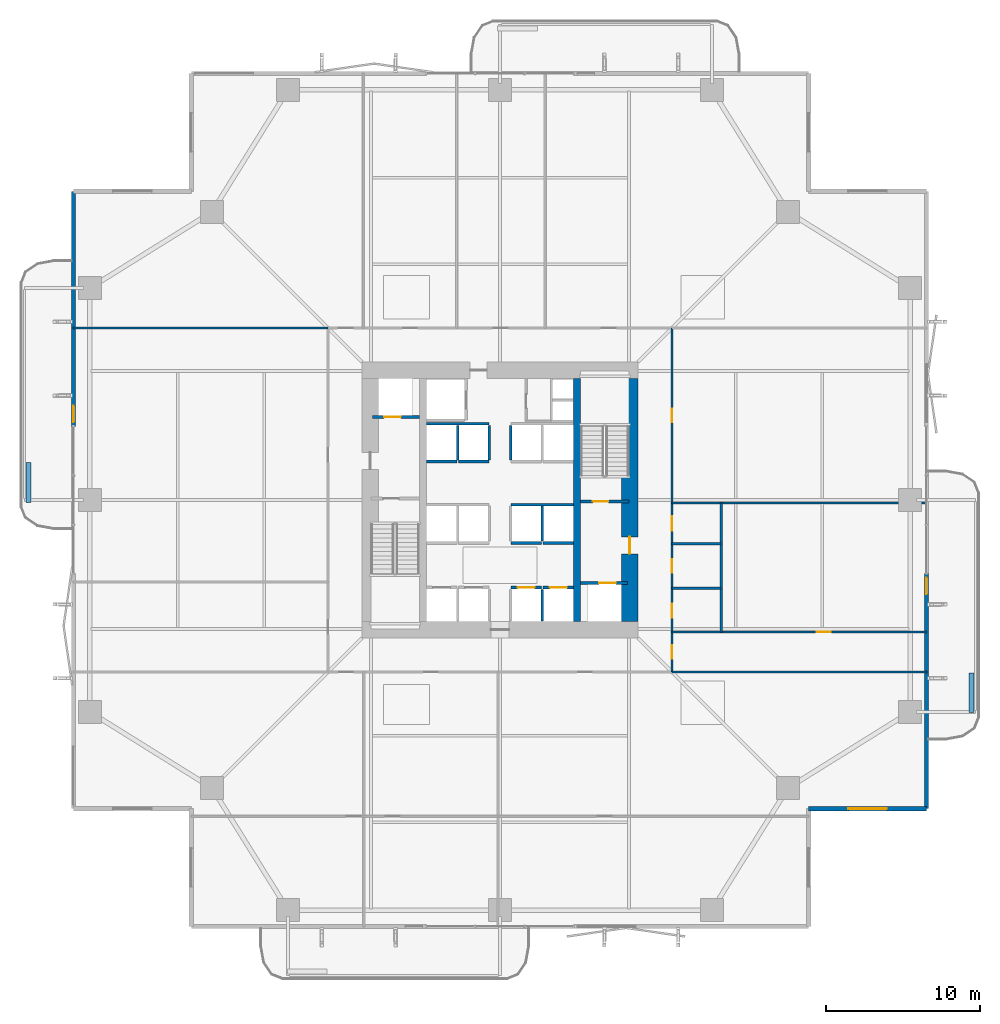
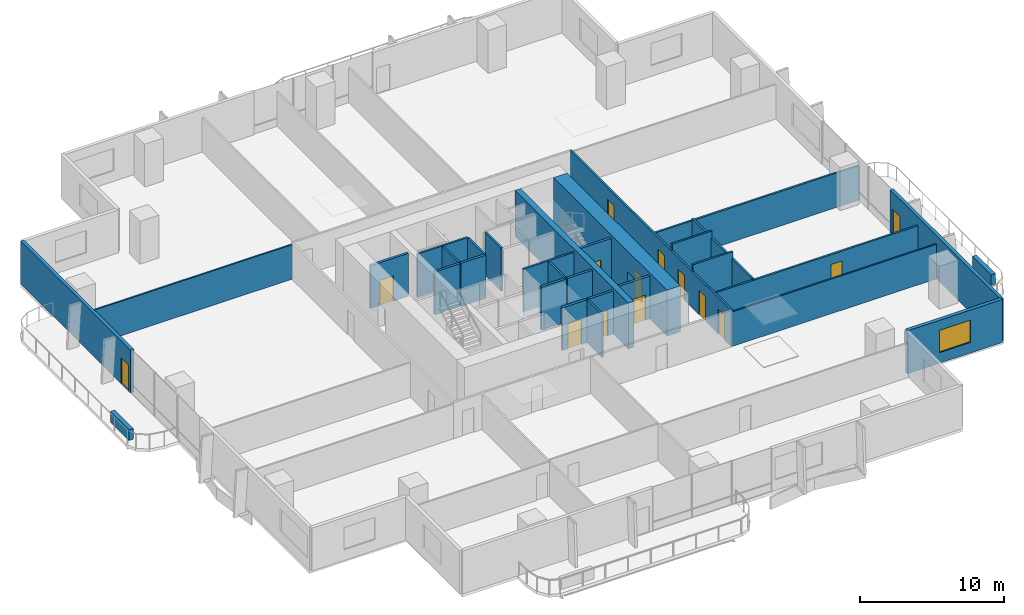
# One storey, part 18 of 23: 31 walls, 14 doors, 1 window, 15 openings.
"""IFC4 building model written with IfcOpenShell, lengths in metres."""

import ifcopenshell
import ifcopenshell.guid

model = None  # the IFC model being written
_history = None  # IfcOwnerHistory: only IFC2X3 demands one
_inside = {}  # id of a spatial element -> (the spatial element, [elements in it])
_under = {}  # id of a project, library or spatial element -> (it, [spatial elements below it])
_declared = {}  # id of a project -> (the project, [libraries it declares])
_typed = {}  # id of a type object -> (the type object, [elements of that type])
_made_of = {}  # id of a material, layer set ... -> (it, [elements and type objects made of it])


def new_model(schema):
    """Start an empty IFC model of exactly this schema.

    Asked for "IFC4X3", IfcOpenShell would pick the latest addendum, in which some entities
    have other attributes; the version numbers below select the first issue.
    IFC2X3 requires an IfcOwnerHistory on every rooted entity: one is made here for all.
    """
    global model, _history
    if schema == "IFC4X3":
        model = ifcopenshell.file(schema_version=(4, 3, 0, 0))
    else:
        model = ifcopenshell.file(schema=schema)
    _inside.clear()
    _under.clear()
    _declared.clear()
    _typed.clear()
    _made_of.clear()
    _history = None
    if model.schema == "IFC2X3":
        org = make("IfcOrganization", Name="unknown")
        user = make(
            "IfcPersonAndOrganization",
            ThePerson=make("IfcPerson", FamilyName="unknown"),
            TheOrganization=org,
        )
        app = make(
            "IfcApplication",
            ApplicationDeveloper=org,
            Version="unknown",
            ApplicationFullName="unknown",
            ApplicationIdentifier="unknown",
        )
        _history = make(
            "IfcOwnerHistory",
            OwningUser=user,
            OwningApplication=app,
            ChangeAction="ADDED",
            CreationDate=0,
        )
    return model


def make(cls, **values):
    """One entity of the class cls with the attributes given. An attribute that is None is left unset."""
    return model.create_entity(
        cls, **{name: value for name, value in values.items() if value is not None}
    )


def rooted(cls, **values):
    """An entity with a GlobalId (a new one), such as an element, a storey or a relation."""
    return make(cls, GlobalId=ifcopenshell.guid.new(), OwnerHistory=_history, **values)


def si_unit(unit_type, name, prefix=None):
    """IfcSIUnit, for example si_unit("LENGTHUNIT", "METRE", prefix="MILLI")."""
    return make("IfcSIUnit", UnitType=unit_type, Prefix=prefix, Name=name)


def assignment(units):
    """IfcUnitAssignment: the units of a project."""
    return None if units is None else make("IfcUnitAssignment", Units=units)


def point(xyz):
    """IfcCartesianPoint."""
    return None if xyz is None else make("IfcCartesianPoint", Coordinates=xyz)


def direction(xyz):
    """IfcDirection."""
    return None if xyz is None else make("IfcDirection", DirectionRatios=xyz)


def frame(location, z_axis=None, x_axis=None):
    """IfcAxis2Placement3D, a coordinate frame: its origin and axes. An axis left out is left unset."""
    return make(
        "IfcAxis2Placement3D",
        Location=point(location),
        Axis=direction(z_axis),
        RefDirection=direction(x_axis),
    )


def frame_2d(location, x_axis=None):
    """IfcAxis2Placement2D, a coordinate frame in the plane: its origin and x axis."""
    return make(
        "IfcAxis2Placement2D", Location=point(location), RefDirection=direction(x_axis)
    )


def origin():
    """The frame at (0, 0, 0) with its axes left unset."""
    return frame((0.0, 0.0, 0.0))


def place(relative_to, where):
    """IfcLocalPlacement: puts the frame where relative to a parent placement (None: the world)."""
    return make(
        "IfcLocalPlacement", PlacementRelTo=relative_to, RelativePlacement=where
    )


def context(
    kind, dimensions, precision=None, world=None, true_north=None, identifier=None
):
    """IfcGeometricRepresentationContext, for example the 3D "Model" context."""
    return make(
        "IfcGeometricRepresentationContext",
        ContextIdentifier=identifier,
        ContextType=kind,
        CoordinateSpaceDimension=dimensions,
        Precision=precision,
        WorldCoordinateSystem=world,
        TrueNorth=true_north,
    )


def subcontext(parent, identifier, kind, view, scale=None):
    """IfcGeometricRepresentationSubContext, for example "Body" below "Model"."""
    return make(
        "IfcGeometricRepresentationSubContext",
        ContextIdentifier=identifier,
        ContextType=kind,
        ParentContext=parent,
        TargetScale=scale,
        TargetView=view,
    )


def project(units=None, contexts=None):
    """IfcProject with its units and contexts."""
    return rooted(
        "IfcProject",
        Name="project",
        RepresentationContexts=contexts,
        UnitsInContext=assignment(units),
    )


def spatial(cls, under=None, at=None, **own):
    """A site, building, storey or space (cls), placed at a placement, below another one or the project."""
    s = rooted(cls, ObjectPlacement=at, **own)
    if under is not None:
        _under.setdefault(under.id(), (under, []))[1].append(s)
    return s


def profile(cls, at=None, kind="AREA", **sizes):
    """A parametric profile (cls). Its sizes go by their IFC names, for example OverallWidth=200.0."""
    return make(cls, ProfileType=kind, Position=at, **sizes)


def rectangle(**sizes):
    """IfcRectangleProfileDef."""
    return profile("IfcRectangleProfileDef", **sizes)


def extrude(swept, where, along, depth):
    """IfcExtrudedAreaSolid: the profile swept, set in the frame where, extruded along a direction by depth."""
    return make(
        "IfcExtrudedAreaSolid",
        SweptArea=swept,
        Position=where,
        ExtrudedDirection=direction(along),
        Depth=depth,
    )


def shape(context_of_items, identifier, shape_type, items):
    """IfcShapeRepresentation: the items that make up one representation, for example the "Body"."""
    return make(
        "IfcShapeRepresentation",
        ContextOfItems=context_of_items,
        RepresentationIdentifier=identifier,
        RepresentationType=shape_type,
        Items=items,
    )


def material(Name=None, Category=None):
    """IfcMaterial."""
    return make("IfcMaterial", Name=Name, Category=Category)


def layer(
    of_material, thickness, ventilated=None, Name=None, Category=None, Priority=None
):
    """IfcMaterialLayer: one layer of a wall or slab, of a material (None: an air gap)."""
    return make(
        "IfcMaterialLayer",
        Material=of_material,
        LayerThickness=thickness,
        IsVentilated=ventilated,
        Name=Name,
        Category=Category,
        Priority=Priority,
    )


def layer_set(layers, Name=None):
    """IfcMaterialLayerSet."""
    return make("IfcMaterialLayerSet", MaterialLayers=layers, LayerSetName=Name)


def made_of(thing, what):
    """Note that an element or type object is made of a material, layer set ...; save() writes the relation."""
    if what is not None:
        _made_of.setdefault(what.id(), (what, []))[1].append(thing)
    return thing


def type_object(cls, material=None, **own):
    """A type object (cls), such as IfcWallType, which elements share."""
    return made_of(rooted(cls, **own), material)


def element(
    cls,
    number,
    at=None,
    inside=None,
    cuts=None,
    type_object=None,
    material=None,
    context=None,
    identifier="Body",
    shape_type=None,
    held_by="IfcProductDefinitionShape",
    body=None,
    shapes=None,
    **own,
):
    """One element of the class cls, such as IfcWall. Its Tag is "e" and its number.

    at: its placement. inside: the storey or other place that contains it. cuts: it is an
    opening in that element (IfcRelVoidsElement). A single representation is given by context,
    identifier, shape_type and body (its items); several are given by shapes. held_by: the class
    of the entity that holds the representations. save() writes the other relations.
    """
    e = rooted(cls, Tag="e%d" % number, ObjectPlacement=at, **own)
    if body is not None:
        shapes = [shape(context, identifier, shape_type, body)]
    if shapes is not None:
        e.Representation = make(held_by, Representations=shapes)
    if inside is not None:
        _inside.setdefault(inside.id(), (inside, []))[1].append(e)
    if cuts is not None:
        rooted(
            "IfcRelVoidsElement", RelatingBuildingElement=cuts, RelatedOpeningElement=e
        )
    if type_object is not None:
        _typed.setdefault(type_object.id(), (type_object, []))[1].append(e)
    return made_of(e, material)


def fill(opening, filler):
    """IfcRelFillsElement: the door or window that sits in an opening."""
    return rooted(
        "IfcRelFillsElement",
        RelatingOpeningElement=opening,
        RelatedBuildingElement=filler,
    )


def aggregate(whole, parts):
    """IfcRelAggregates: a whole, such as a stair, and the parts it consists of."""
    return rooted("IfcRelAggregates", RelatingObject=whole, RelatedObjects=parts)


def save(model, path):
    """Write the relations noted so far, then the file.

    IfcRelAggregates (storeys below a building ...), IfcRelContainedInSpatialStructure (elements
    in a storey), IfcRelDefinesByType, IfcRelAssociatesMaterial and IfcRelDeclares: one each for
    every whole, place, type object, material and project.
    """
    for whole, parts in _under.values():
        aggregate(whole, parts)
    for where, things in _inside.values():
        rooted(
            "IfcRelContainedInSpatialStructure",
            RelatedElements=things,
            RelatingStructure=where,
        )
    for kind, things in _typed.values():
        rooted("IfcRelDefinesByType", RelatedObjects=things, RelatingType=kind)
    for what, things in _made_of.values():
        rooted("IfcRelAssociatesMaterial", RelatedObjects=things, RelatingMaterial=what)
    for by, libraries in _declared.values():
        rooted("IfcRelDeclares", RelatingContext=by, RelatedDefinitions=libraries)
    model.write(path)


model = new_model("IFC4")

# Units and contexts
model_context = context("Model", 3, precision=1e-05, world=origin(), true_north=direction((0.0, 1.0)))
body_context = subcontext(model_context, "Body", "Model", "MODEL_VIEW")
ifc_project = project(units=[si_unit("LENGTHUNIT", "METRE"), si_unit("AREAUNIT", "SQUARE_METRE"), si_unit("VOLUMEUNIT", "CUBIC_METRE"), si_unit("PLANEANGLEUNIT", "RADIAN"), si_unit("MASSUNIT", "GRAM", prefix="KILO")], contexts=[model_context])

# Site, building, storey
site_placement = place(None, origin())
site = spatial("IfcSite", under=ifc_project, at=site_placement, CompositionType="ELEMENT")
building_placement = place(site_placement, origin())
building = spatial("IfcBuilding", under=site, at=building_placement, Name="Belovzor Exchange Tower", CompositionType="ELEMENT")
storey_placement = place(building_placement, frame((0.0, 0.0, 88.5)))
storey = spatial("IfcBuildingStorey", under=building, at=storey_placement, Name="L21", CompositionType="ELEMENT", Elevation=88.5)

# Walls
ifc_material_1 = material(Name="Acoustic Plasterboard on Galvanised Studs", Category="gypsum")
ifc_layer_1 = layer(ifc_material_1, 0.1201171875)
ifc_layer_set_1 = layer_set([ifc_layer_1], Name="Acoustic Plasterboard on Galvanised Studs")
wall_type_1 = type_object("IfcWallType", Name="Acoustic Double-Stud Partition Wall 120", PredefinedType="PARTITIONING", material=ifc_layer_set_1)
for number, where, z_axis, x_axis, name in (
    (1, (40.0, 17.60009765625, 0.0), (0.0, 0.0, 1.0), (1.0, 0.0, 0.0), "W-P120 Partition Wall W-L21-END-SE"),
    (2, (1.030029296875, 40.0, 0.0), (0.0, 0.0, 1.0), (1.0, 0.0, 0.0), "W-P120 Partition Wall W-L21-END-NW"),
):
    element("IfcWall", number, at=place(storey_placement, frame(where, z_axis=z_axis, x_axis=x_axis)), inside=storey, type_object=wall_type_1, Name=name, PredefinedType="PARTITIONING", context=body_context, shape_type="SweptSolid", body=[
        extrude(rectangle(XDim=16.570068359375, YDim=0.1201171875, at=frame_2d((8.28515625, 0.0))), origin(), (0.0, 0.0, 1.0), 2.93505859375),
    ])
ifc_material_2 = material(Name="Fire-Rated Gypsum Block and Mineral Wool", Category="gypsum")
ifc_layer_2 = layer(ifc_material_2, 0.14990234375)
ifc_layer_set_2 = layer_set([ifc_layer_2], Name="Fire-Rated Gypsum Block and Mineral Wool")
wall_type_2 = type_object("IfcWallType", Name="Fire-Rated Gypsum Block Corridor Wall 150", PredefinedType="PARTITIONING", material=ifc_layer_set_2)
wall_1_placement = place(storey_placement, frame((43.199951171875, 20.199951171875, 0.0), z_axis=(0.0, 0.0, 1.0), x_axis=(0.0, 1.0, 0.0)))
element("IfcWall", 3, at=wall_1_placement, inside=storey, type_object=wall_type_2, Name="W-P150 Partition Wall W-L21-WCE", PredefinedType="PARTITIONING", context=body_context, shape_type="SweptSolid", body=[
    extrude(rectangle(XDim=8.400146484375, YDim=0.14990234375, at=frame_2d((4.2001953125, 0.0))), origin(), (0.0, 0.0, 1.0), 3.0849609375),
])

# Wall, opening, door
wall_2_placement = place(storey_placement, frame((40.0, 20.199951171875, 0.0), z_axis=(0.0, 0.0, 1.0), x_axis=(1.0, 0.0, 0.0)))
wall_2 = element("IfcWall", 4, at=wall_2_placement, inside=storey, type_object=wall_type_2, Name="W-P150 Partition Wall W-L21-WCS", PredefinedType="PARTITIONING", context=body_context, shape_type="SweptSolid", body=[
    extrude(rectangle(XDim=16.570068359375, YDim=0.14990234375, at=frame_2d((8.28515625, 0.0))), origin(), (0.0, 0.0, 1.0), 2.93505859375),
])
opening_1_placement = place(wall_2_placement, frame((9.43505859375, 0.0, 0.0)))
opening_1 = element("IfcOpeningElement", 5, at=opening_1_placement, cuts=wall_2, Name="Opening D-INT-090", PredefinedType="OPENING", context=body_context, shape_type="SweptSolid", body=[
    extrude(rectangle(XDim=0.89990234375, YDim=2.10009765625, at=frame_2d((0.449951171875, 1.050048828125))), frame((0.0, 0.0849609375, 0.0), z_axis=(0.0, -1.0, 0.0), x_axis=(1.0, 0.0, 0.0)), (0.0, 0.0, 1.0), 0.169921875),
])
ifc_material_3 = material(Name="Veneered Hardwood Acoustic Leaf", Category="wood")
door_type_1 = type_object("IfcDoorType", Name="Trading Suite Acoustic Single Door 900x2100", OperationType="NOTDEFINED", PredefinedType="DOOR", material=ifc_material_3)
door_1_placement = place(opening_1_placement, origin())
door_1 = element("IfcDoor", 6, at=door_1_placement, inside=storey, type_object=door_type_1, Name="D-INT-090 Trading Suite Acoustic Single Door 900x2100", OperationType="SINGLE_SWING_LEFT", OverallHeight=2.10009765625, OverallWidth=0.89990234375, PredefinedType="DOOR", context=body_context, shape_type="SweptSolid", body=[
    extrude(rectangle(XDim=0.89990234375, YDim=2.10009765625, at=frame_2d((0.449951171875, 1.050048828125))), frame((0.0, 0.02490234375, 0.0), z_axis=(0.0, -1.0, 0.0), x_axis=(1.0, 0.0, 0.0)), (0.0, 0.0, 1.0), 0.050048828125),
])
fill(opening_1, door_1)

# Walls
wall_3_placement = place(storey_placement, frame((40.0, 28.60009765625, 0.0), z_axis=(0.0, 0.0, 1.0), x_axis=(1.0, 0.0, 0.0)))
element("IfcWall", 7, at=wall_3_placement, inside=storey, type_object=wall_type_2, Name="W-P150 Partition Wall W-L21-WCN", PredefinedType="PARTITIONING", context=body_context, shape_type="SweptSolid", body=[
    extrude(rectangle(XDim=16.570068359375, YDim=0.14990234375, at=frame_2d((8.28515625, 0.0))), origin(), (0.0, 0.0, 1.0), 2.93505859375),
])
for number, where, z_axis, x_axis, name in (
    (8, (40.0, 23.050048828125, 0.0), (0.0, 0.0, 1.0), (1.0, 0.0, 0.0), "W-P150 Partition Wall W-L21-WCD1"),
    (9, (40.0, 25.949951171875, 0.0), (0.0, 0.0, 1.0), (1.0, 0.0, 0.0), "W-P150 Partition Wall W-L21-WCD2"),
):
    element("IfcWall", number, at=place(storey_placement, frame(where, z_axis=z_axis, x_axis=x_axis)), inside=storey, type_object=wall_type_2, Name=name, PredefinedType="PARTITIONING", context=body_context, shape_type="SweptSolid", body=[
        extrude(rectangle(XDim=3.199951171875, YDim=0.14990234375, at=frame_2d((1.60009765625, 0.0))), origin(), (0.0, 0.0, 1.0), 3.64990234375),
    ])

# Wall, openings, doors
wall_4_placement = place(storey_placement, frame((40.0, 17.60009765625, 0.0), z_axis=(0.0, 0.0, 1.0), x_axis=(0.0, 1.0, 0.0)))
wall_4 = element("IfcWall", 10, at=wall_4_placement, inside=storey, type_object=wall_type_2, Name="W-P150 Partition Wall W-L21-CE", PredefinedType="PARTITIONING", context=body_context, shape_type="SweptSolid", body=[
    extrude(rectangle(XDim=22.39990234375, YDim=0.14990234375, at=frame_2d((11.199951171875, 0.0))), origin(), (0.0, 0.0, 1.0), 3.0849609375),
])
opening_2_placement = place(wall_4_placement, frame((0.85009765625, 0.0, 0.0)))
opening_2 = element("IfcOpeningElement", 11, at=opening_2_placement, cuts=wall_4, Name="Opening D-INT-090", PredefinedType="OPENING", context=body_context, shape_type="SweptSolid", body=[
    extrude(rectangle(XDim=0.89990234375, YDim=2.10009765625, at=frame_2d((0.449951171875, 1.050048828125))), frame((0.0, 0.0849609375, 0.0), z_axis=(0.0, -1.0, 0.0), x_axis=(1.0, 0.0, 0.0)), (0.0, 0.0, 1.0), 0.169921875),
])
opening_3_placement = place(wall_4_placement, frame((3.550048828125, 0.0, 0.0)))
opening_3 = element("IfcOpeningElement", 12, at=opening_3_placement, cuts=wall_4, Name="Opening D-FD60-090", PredefinedType="OPENING", context=body_context, shape_type="SweptSolid", body=[
    extrude(rectangle(XDim=0.89990234375, YDim=2.10009765625, at=frame_2d((0.449951171875, 1.050048828125))), frame((0.0, 0.0849609375, 0.0), z_axis=(0.0, -1.0, 0.0), x_axis=(1.0, 0.0, 0.0)), (0.0, 0.0, 1.0), 0.169921875),
])
opening_4_placement = place(wall_4_placement, frame((6.449951171875, 0.0, 0.0)))
opening_4 = element("IfcOpeningElement", 13, at=opening_4_placement, cuts=wall_4, Name="Opening D-FD60-090", PredefinedType="OPENING", context=body_context, shape_type="SweptSolid", body=[
    extrude(rectangle(XDim=0.89990234375, YDim=2.10009765625, at=frame_2d((0.449951171875, 1.050048828125))), frame((0.0, 0.0849609375, 0.0), z_axis=(0.0, -1.0, 0.0), x_axis=(1.0, 0.0, 0.0)), (0.0, 0.0, 1.0), 0.169921875),
])
opening_5_placement = place(wall_4_placement, frame((9.199951171875, 0.0, 0.0)))
opening_5 = element("IfcOpeningElement", 14, at=opening_5_placement, cuts=wall_4, Name="Opening D-FD60-095", PredefinedType="OPENING", context=body_context, shape_type="SweptSolid", body=[
    extrude(rectangle(XDim=0.949951171875, YDim=2.10009765625, at=frame_2d((0.47509765625, 1.050048828125))), frame((0.0, 0.0849609375, 0.0), z_axis=(0.0, -1.0, 0.0), x_axis=(1.0, 0.0, 0.0)), (0.0, 0.0, 1.0), 0.169921875),
])
opening_6_placement = place(wall_4_placement, frame((16.25, 0.0, 0.0)))
opening_6 = element("IfcOpeningElement", 15, at=opening_6_placement, cuts=wall_4, Name="Opening D-INT-090", PredefinedType="OPENING", context=body_context, shape_type="SweptSolid", body=[
    extrude(rectangle(XDim=0.89990234375, YDim=2.10009765625, at=frame_2d((0.449951171875, 1.050048828125))), frame((0.0, 0.0849609375, 0.0), z_axis=(0.0, -1.0, 0.0), x_axis=(1.0, 0.0, 0.0)), (0.0, 0.0, 1.0), 0.169921875),
])
ifc_material_4 = material(Name="Moisture-Resistant Timber Fire Leaf", Category="wood")
door_type_2 = type_object("IfcDoorType", Name="Accessible Restroom Wide Fire Door 950x2100", OperationType="NOTDEFINED", PredefinedType="DOOR", material=ifc_material_4)
door_2_placement = place(opening_5_placement, origin())
door_2 = element("IfcDoor", 16, at=door_2_placement, inside=storey, type_object=door_type_2, Name="D-FD60-095 Accessible Restroom Wide Fire Door 950x2100", OperationType="SINGLE_SWING_LEFT", OverallHeight=2.10009765625, OverallWidth=0.949951171875, PredefinedType="DOOR", context=body_context, shape_type="SweptSolid", body=[
    extrude(rectangle(XDim=0.949951171875, YDim=2.10009765625, at=frame_2d((0.47509765625, 1.050048828125))), frame((0.0, 0.02490234375, 0.0), z_axis=(0.0, -1.0, 0.0), x_axis=(1.0, 0.0, 0.0)), (0.0, 0.0, 1.0), 0.050048828125),
])
fill(opening_5, door_2)
ifc_material_5 = material(Name="Acoustic Timber Fire Leaf", Category="wood")
door_type_3 = type_object("IfcDoorType", Name="Core Service & Restroom Fire Door 900x2100", OperationType="NOTDEFINED", PredefinedType="DOOR", material=ifc_material_5)
door_3_placement = place(opening_3_placement, origin())
door_3 = element("IfcDoor", 17, at=door_3_placement, inside=storey, type_object=door_type_3, Name="D-FD60-090 Core Service & Restroom Fire Door 900x2100", OperationType="SINGLE_SWING_LEFT", OverallHeight=2.10009765625, OverallWidth=0.89990234375, PredefinedType="DOOR", context=body_context, shape_type="SweptSolid", body=[
    extrude(rectangle(XDim=0.89990234375, YDim=2.10009765625, at=frame_2d((0.449951171875, 1.050048828125))), frame((0.0, 0.02490234375, 0.0), z_axis=(0.0, -1.0, 0.0), x_axis=(1.0, 0.0, 0.0)), (0.0, 0.0, 1.0), 0.050048828125),
])
fill(opening_3, door_3)
door_4_placement = place(opening_4_placement, origin())
door_4 = element("IfcDoor", 18, at=door_4_placement, inside=storey, type_object=door_type_3, Name="D-FD60-090 Core Service & Restroom Fire Door 900x2100", OperationType="SINGLE_SWING_RIGHT", OverallHeight=2.10009765625, OverallWidth=0.89990234375, PredefinedType="DOOR", context=body_context, shape_type="SweptSolid", body=[
    extrude(rectangle(XDim=0.89990234375, YDim=2.10009765625, at=frame_2d((0.449951171875, 1.050048828125))), frame((0.0, 0.02490234375, 0.0), z_axis=(0.0, -1.0, 0.0), x_axis=(1.0, 0.0, 0.0)), (0.0, 0.0, 1.0), 0.050048828125),
])
fill(opening_4, door_4)
door_5_placement = place(opening_2_placement, origin())
door_5 = element("IfcDoor", 19, at=door_5_placement, inside=storey, type_object=door_type_1, Name="D-INT-090 Trading Suite Acoustic Single Door 900x2100", OperationType="SINGLE_SWING_LEFT", OverallHeight=2.10009765625, OverallWidth=0.89990234375, PredefinedType="DOOR", context=body_context, shape_type="SweptSolid", body=[
    extrude(rectangle(XDim=0.89990234375, YDim=2.10009765625, at=frame_2d((0.449951171875, 1.050048828125))), frame((0.0, 0.02490234375, 0.0), z_axis=(0.0, -1.0, 0.0), x_axis=(1.0, 0.0, 0.0)), (0.0, 0.0, 1.0), 0.050048828125),
])
fill(opening_2, door_5)
door_6_placement = place(opening_6_placement, origin())
door_6 = element("IfcDoor", 20, at=door_6_placement, inside=storey, type_object=door_type_1, Name="D-INT-090 Trading Suite Acoustic Single Door 900x2100", OperationType="SINGLE_SWING_RIGHT", OverallHeight=2.10009765625, OverallWidth=0.89990234375, PredefinedType="DOOR", context=body_context, shape_type="SweptSolid", body=[
    extrude(rectangle(XDim=0.89990234375, YDim=2.10009765625, at=frame_2d((0.449951171875, 1.050048828125))), frame((0.0, 0.02490234375, 0.0), z_axis=(0.0, -1.0, 0.0), x_axis=(1.0, 0.0, 0.0)), (0.0, 0.0, 1.0), 0.050048828125),
])
fill(opening_6, door_6)

# Wall, opening, window
ifc_material_6 = material(Name="Precast concrete C40/50", Category="concrete")
ifc_layer_3 = layer(ifc_material_6, 0.280029296875)
ifc_layer_set_3 = layer_set([ifc_layer_3], Name="Precast concrete C40/50")
wall_type_3 = type_object("IfcWallType", Name="Precast Concrete Notched Corner Frame Wall 280", PredefinedType="SOLIDWALL", material=ifc_layer_set_3)
wall_5_placement = place(storey_placement, frame((56.570068359375, 8.699951171875, 0.0), z_axis=(0.0, 0.0, 1.0), x_axis=(-1.0, 0.0, 0.0)))
wall_5 = element("IfcWall", 21, at=wall_5_placement, inside=storey, type_object=wall_type_3, Name="W-CRN280 Precast Concrete Notched Corner Frame Wall 280 L21", PredefinedType="SOLIDWALL", context=body_context, shape_type="SweptSolid", body=[
    extrude(rectangle(XDim=7.670166015625, YDim=0.280029296875, at=frame_2d((3.8349609375, 0.0))), origin(), (0.0, 0.0, 1.0), 3.64990234375),
])
opening_7_placement = place(wall_5_placement, frame((2.5849609375, 0.0, 0.89990234375)))
opening_7 = element("IfcOpeningElement", 22, at=opening_7_placement, cuts=wall_5, Name="Opening WN-CRN250", PredefinedType="OPENING", context=body_context, shape_type="SweptSolid", body=[
    extrude(rectangle(XDim=2.5, YDim=1.89990234375, at=frame_2d((1.25, 0.949951171875))), frame((0.0, 0.14990234375, 0.0), z_axis=(0.0, -1.0, 0.0), x_axis=(1.0, 0.0, 0.0)), (0.0, 0.0, 1.0), 0.300048828125),
])
ifc_material_7 = material(Name="Thermally Broken Aluminium and Triple Glazing", Category="aluminium")
window_type = type_object("IfcWindowType", Name="Streamline Moderne Corner Wrap Ribbon Window 2500x1900", PartitioningType="SINGLE_PANEL", PredefinedType="WINDOW", material=ifc_material_7)
window_placement = place(opening_7_placement, origin())
window = element("IfcWindow", 23, at=window_placement, inside=storey, type_object=window_type, Name="WN-CRN250 Streamline Moderne Corner Wrap Ribbon Window 2500x1900", OverallHeight=1.89990234375, OverallWidth=2.5, PartitioningType="SINGLE_PANEL", PredefinedType="WINDOW", context=body_context, shape_type="SweptSolid", body=[
    extrude(rectangle(XDim=2.5, YDim=1.89990234375, at=frame_2d((1.25, 0.949951171875))), frame((0.0, 0.030029296875, 0.0), z_axis=(0.0, -1.0, 0.0), x_axis=(1.0, 0.0, 0.0)), (0.0, 0.0, 1.0), 0.06005859375),
])
fill(opening_7, window)

# Wall, opening, door
ifc_material_8 = material(Name="Precast concrete C40/50", Category="concrete")
ifc_layer_4 = layer(ifc_material_8, 0.260009765625)
ifc_layer_set_4 = layer_set([ifc_layer_4], Name="Precast concrete C40/50")
wall_type_4 = type_object("IfcWallType", Name="Precast Concrete Perimeter Loggia Frame Wall 260", PredefinedType="SOLIDWALL", material=ifc_layer_set_4)
wall_6_placement = place(storey_placement, frame((1.030029296875, 33.60009765625, 0.0), z_axis=(0.0, 0.0, 1.0), x_axis=(0.0, 1.0, 0.0)))
wall_6 = element("IfcWall", 24, at=wall_6_placement, inside=storey, type_object=wall_type_4, Name="W-EXT260 Precast Concrete Perimeter Loggia Frame Wall 260 L21", PredefinedType="SOLIDWALL", context=body_context, shape_type="SweptSolid", body=[
    extrude(rectangle(XDim=15.2998046875, YDim=0.260009765625, at=frame_2d((7.64990234375, 0.0))), origin(), (0.0, 0.0, 1.0), 3.64990234375),
])
opening_8_placement = place(wall_6_placement, frame((0.25, 0.0, 0.0)))
opening_8 = element("IfcOpeningElement", 25, at=opening_8_placement, cuts=wall_6, Name="Opening D-BAL110", PredefinedType="OPENING", context=body_context, shape_type="SweptSolid", body=[
    extrude(rectangle(XDim=1.10009765625, YDim=2.199951171875, at=frame_2d((0.550048828125, 1.10009765625))), frame((0.0, 0.139892578125, 0.0), z_axis=(0.0, -1.0, 0.0), x_axis=(1.0, 0.0, 0.0)), (0.0, 0.0, 1.0), 0.280029296875),
])
ifc_material_9 = material(Name="Thermally Broken Anodised Aluminium and Laminated Glass", Category="aluminium")
door_type_4 = type_object("IfcDoorType", Name="Planted Loggia Terrace Glazed Door 1100x2200", OperationType="SINGLE_SWING_LEFT", PredefinedType="DOOR", material=ifc_material_9)
door_7_placement = place(opening_8_placement, origin())
door_7 = element("IfcDoor", 26, at=door_7_placement, inside=storey, type_object=door_type_4, Name="D-BAL110 Balcony Terrace Door L21 W", OperationType="SINGLE_SWING_RIGHT", OverallHeight=2.199951171875, OverallWidth=1.10009765625, PredefinedType="DOOR", context=body_context, shape_type="SweptSolid", body=[
    extrude(rectangle(XDim=1.10009765625, YDim=2.199951171875, at=frame_2d((0.550048828125, 1.10009765625))), frame((0.0, 0.02490234375, 0.0), z_axis=(0.0, -1.0, 0.0), x_axis=(1.0, 0.0, 0.0)), (0.0, 0.0, 1.0), 0.050048828125),
])
fill(opening_8, door_7)

wall_7_placement = place(storey_placement, frame((56.570068359375, 24.0, 0.0), z_axis=(0.0, 0.0, 1.0), x_axis=(0.0, -1.0, 0.0)))
wall_7 = element("IfcWall", 27, at=wall_7_placement, inside=storey, type_object=wall_type_4, Name="W-EXT260 Precast Concrete Perimeter Loggia Frame Wall 260 L21", PredefinedType="SOLIDWALL", context=body_context, shape_type="SweptSolid", body=[
    extrude(rectangle(XDim=15.300048828125, YDim=0.260009765625, at=frame_2d((7.64990234375, 0.0))), origin(), (0.0, 0.0, 1.0), 3.64990234375),
])
opening_9_placement = place(wall_7_placement, frame((0.25, 0.0, 0.0)))
opening_9 = element("IfcOpeningElement", 28, at=opening_9_placement, cuts=wall_7, Name="Opening D-BAL110", PredefinedType="OPENING", context=body_context, shape_type="SweptSolid", body=[
    extrude(rectangle(XDim=1.10009765625, YDim=2.199951171875, at=frame_2d((0.550048828125, 1.10009765625))), frame((0.0, 0.139892578125, 0.0), z_axis=(0.0, -1.0, 0.0), x_axis=(1.0, 0.0, 0.0)), (0.0, 0.0, 1.0), 0.280029296875),
])
door_8_placement = place(opening_9_placement, origin())
door_8 = element("IfcDoor", 29, at=door_8_placement, inside=storey, type_object=door_type_4, Name="D-BAL110 Balcony Terrace Door L21 E", OperationType="SINGLE_SWING_LEFT", OverallHeight=2.199951171875, OverallWidth=1.10009765625, PredefinedType="DOOR", context=body_context, shape_type="SweptSolid", body=[
    extrude(rectangle(XDim=1.10009765625, YDim=2.199951171875, at=frame_2d((0.550048828125, 1.10009765625))), frame((0.0, 0.02490234375, 0.0), z_axis=(0.0, -1.0, 0.0), x_axis=(1.0, 0.0, 0.0)), (0.0, 0.0, 1.0), 0.050048828125),
])
fill(opening_9, door_8)

# Walls
ifc_material_10 = material(Name="Precast concrete C40/50", Category="concrete")
ifc_layer_5 = layer(ifc_material_10, 0.35009765625)
ifc_layer_set_5 = layer_set([ifc_layer_5], Name="Precast concrete C40/50")
wall_type_5 = type_object("IfcWallType", Name="Precast Concrete Structural Tree Planter Trough 350", PredefinedType="PARAPET", material=ifc_layer_set_5)
for number, where, z_axis, x_axis, name in (
    (30, (59.5, 14.949951171875, 0.0), (0.0, 0.0, 1.0), (0.0, 1.0, 0.0), "PT-350 Precast Concrete Structural Tree Planter Trough 350 L21"),
    (31, (-1.89990234375, 28.64990234375, 0.0), (0.0, 0.0, 1.0), (0.0, 1.0, 0.0), "PT-350 Precast Concrete Structural Tree Planter Trough 350 L21"),
):
    element("IfcWall", number, at=place(storey_placement, frame(where, z_axis=z_axis, x_axis=x_axis)), inside=storey, type_object=wall_type_5, Name=name, PredefinedType="PARAPET", context=body_context, shape_type="SweptSolid", body=[
        extrude(rectangle(XDim=2.60009765625, YDim=0.35009765625, at=frame_2d((1.300048828125, 0.0))), origin(), (0.0, 0.0, 1.0), 0.89990234375),
    ])
ifc_material_11 = material(Name="Concrete C50/60", Category="concrete")
ifc_layer_6 = layer(ifc_material_11, 0.449951171875)
ifc_layer_set_6 = layer_set([ifc_layer_6], Name="Concrete C50/60")
wall_type_6 = type_object("IfcWallType", Name="Reinforced Concrete Core Internal Web Wall 450", PredefinedType="SHEAR", material=ifc_layer_set_6)
wall_8_placement = place(storey_placement, frame((33.824951171875, 20.89990234375, 0.0), z_axis=(0.0, 0.0, 1.0), x_axis=(0.0, 1.0, 0.0)))
element("IfcWall", 32, at=wall_8_placement, inside=storey, type_object=wall_type_6, Name="CW-W045 Core Internal Web Wall L21 ER", PredefinedType="SHEAR", context=body_context, shape_type="SweptSolid", body=[
    extrude(rectangle(XDim=15.800048828125, YDim=0.449951171875, at=frame_2d((7.89990234375, 0.0))), origin(), (0.0, 0.0, 1.0), 3.89990234375),
])
ifc_material_12 = material(Name="Concrete C50/60", Category="concrete")
ifc_layer_7 = layer(ifc_material_12, 0.14990234375)
ifc_layer_set_7 = layer_set([ifc_layer_7], Name="Concrete C50/60")
wall_type_7 = type_object("IfcWallType", Name="Reinforced Concrete Core Riser Shear Wall 150", PredefinedType="SHEAR", material=ifc_layer_set_7)
wall_9_placement = place(storey_placement, frame((31.550048828125, 20.919921875, 0.0), z_axis=(0.0, 0.0, 1.0), x_axis=(0.0, 1.0, 0.0)))
element("IfcWall", 33, at=wall_9_placement, inside=storey, type_object=wall_type_7, Name="W-C150S Core Shaft Wall W-SHD-L21-PLL-4", PredefinedType="SHEAR", context=body_context, shape_type="SweptSolid", body=[
    extrude(rectangle(XDim=2.06005859375, YDim=0.14990234375, at=frame_2d((1.030029296875, 0.0))), origin(), (0.0, 0.0, 1.0), 3.64990234375),
])
wall_10_placement = place(storey_placement, frame((29.5, 28.5, 0.0), z_axis=(0.0, 0.0, 1.0), x_axis=(1.0, 0.0, 0.0)))
element("IfcWall", 34, at=wall_10_placement, inside=storey, type_object=wall_type_7, Name="W-C150S Core Shaft Wall W-SHB-L21-PLM-NE", PredefinedType="SHEAR", context=body_context, shape_type="SweptSolid", body=[
    extrude(rectangle(XDim=4.080078125, YDim=0.14990234375, at=frame_2d((2.0400390625, 0.0))), origin(), (0.0, 0.0, 1.0), 3.64990234375),
])
wall_11_placement = place(storey_placement, frame((31.550048828125, 26.1201171875, 0.0), z_axis=(0.0, 0.0, 1.0), x_axis=(0.0, 1.0, 0.0)))
element("IfcWall", 35, at=wall_11_placement, inside=storey, type_object=wall_type_7, Name="W-C150S Core Shaft Wall W-SHD-L21-PLM-4", PredefinedType="SHEAR", context=body_context, shape_type="SweptSolid", body=[
    extrude(rectangle(XDim=2.27978515625, YDim=0.14990234375, at=frame_2d((1.139892578125, 0.0))), origin(), (0.0, 0.0, 1.0), 3.64990234375),
])
wall_12_placement = place(storey_placement, frame((24.02001953125, 33.760009765625, 0.0), z_axis=(0.0, 0.0, 1.0), x_axis=(1.0, 0.0, 0.0)))
element("IfcWall", 36, at=wall_12_placement, inside=storey, type_object=wall_type_7, Name="W-C150S Core Shaft Wall W-SHB-L21-PLH-NW", PredefinedType="SHEAR", context=body_context, shape_type="SweptSolid", body=[
    extrude(rectangle(XDim=4.080078125, YDim=0.14990234375, at=frame_2d((2.0400390625, 0.0))), origin(), (0.0, 0.0, 1.0), 3.64990234375),
])
for number, where, z_axis, x_axis, name in (
    (37, (26.050048828125, 31.419921875, 0.0), (0.0, 0.0, 1.0), (0.0, 1.0, 0.0), "W-C150S Core Shaft Wall W-SHD-L21-PLH-1"),
    (38, (28.10009765625, 31.419921875, 0.0), (0.0, 0.0, 1.0), (0.0, 1.0, 0.0), "W-C150S Core Shaft Wall W-SHD-L21-PLH-2"),
    (39, (29.5, 31.419921875, 0.0), (0.0, 0.0, 1.0), (0.0, 1.0, 0.0), "W-C150S Core Shaft Wall W-SHD-L21-PLH-3"),
):
    element("IfcWall", number, at=place(storey_placement, frame(where, z_axis=z_axis, x_axis=x_axis)), inside=storey, type_object=wall_type_7, Name=name, PredefinedType="SHEAR", context=body_context, shape_type="SweptSolid", body=[
        extrude(rectangle(XDim=2.239990234375, YDim=0.14990234375, at=frame_2d((1.1201171875, 0.0))), origin(), (0.0, 0.0, 1.0), 3.64990234375),
    ])

# Wall, opening, door
ifc_material_13 = material(Name="Concrete C50/60", Category="concrete")
ifc_layer_8 = layer(ifc_material_13, 0.199951171875)
ifc_layer_set_8 = layer_set([ifc_layer_8], Name="Concrete C50/60")
wall_type_8 = type_object("IfcWallType", Name="Reinforced Concrete Core Shaft Shear Wall 200", PredefinedType="SHEAR", material=ifc_layer_set_8)
wall_13_placement = place(storey_placement, frame((34.050048828125, 28.699951171875, 0.0), z_axis=(0.0, 0.0, 1.0), x_axis=(1.0, 0.0, 0.0)))
wall_13 = element("IfcWall", 40, at=wall_13_placement, inside=storey, type_object=wall_type_8, Name="W-C200S Core Shaft Wall W-CORE-L21-FFLE2", PredefinedType="SHEAR", context=body_context, shape_type="SweptSolid", body=[
    extrude(rectangle(XDim=3.14990234375, YDim=0.199951171875, at=frame_2d((1.574951171875, 0.0))), origin(), (0.0, 0.0, 1.0), 3.64990234375),
])
opening_10_placement = place(wall_13_placement, frame((0.800048828125, 0.0, 0.0)))
opening_10 = element("IfcOpeningElement", 41, at=opening_10_placement, cuts=wall_13, Name="Opening D-FD90-100", PredefinedType="OPENING", context=body_context, shape_type="SweptSolid", body=[
    extrude(rectangle(XDim=1.0, YDim=2.10009765625, at=frame_2d((0.5, 1.050048828125))), frame((0.0, 0.10986328125, 0.0), z_axis=(0.0, -1.0, 0.0), x_axis=(1.0, 0.0, 0.0)), (0.0, 0.0, 1.0), 0.219970703125),
])
ifc_material_14 = material(Name="Fire-Rated Galvanised Steel Leaf", Category="steel")
door_type_5 = type_object("IfcDoorType", Name="Protected Stairwell Single Fire Door 1000x2100", OperationType="NOTDEFINED", PredefinedType="DOOR", material=ifc_material_14)
door_9_placement = place(opening_10_placement, origin())
door_9 = element("IfcDoor", 42, at=door_9_placement, inside=storey, type_object=door_type_5, Name="D-FD90-100 Protected Stairwell Single Fire Door 1000x2100", OperationType="SINGLE_SWING_LEFT", OverallHeight=2.10009765625, OverallWidth=1.0, PredefinedType="DOOR", context=body_context, shape_type="SweptSolid", body=[
    extrude(rectangle(XDim=1.0, YDim=2.10009765625, at=frame_2d((0.5, 1.050048828125))), frame((0.0, 0.02490234375, 0.0), z_axis=(0.0, -1.0, 0.0), x_axis=(1.0, 0.0, 0.0)), (0.0, 0.0, 1.0), 0.050048828125),
])
fill(opening_10, door_9)

wall_14_placement = place(storey_placement, frame((20.5, 34.199951171875, 0.0), z_axis=(0.0, 0.0, 1.0), x_axis=(1.0, 0.0, 0.0)))
wall_14 = element("IfcWall", 43, at=wall_14_placement, inside=storey, type_object=wall_type_8, Name="W-C200S Core Shaft Wall W-SH-L21-FFL-01", PredefinedType="SHEAR", context=body_context, shape_type="SweptSolid", body=[
    extrude(rectangle(XDim=3.050048828125, YDim=0.199951171875, at=frame_2d((1.52490234375, 0.0))), origin(), (0.0, 0.0, 1.0), 3.64990234375),
])
opening_11_placement = place(wall_14_placement, frame((0.75, 0.0, 0.0)))
opening_11 = element("IfcOpeningElement", 44, at=opening_11_placement, cuts=wall_14, Name="Opening LD-110", PredefinedType="OPENING", context=body_context, shape_type="SweptSolid", body=[
    extrude(rectangle(XDim=1.10009765625, YDim=2.14990234375, at=frame_2d((0.550048828125, 1.074951171875))), frame((0.0, 0.10986328125, 0.0), z_axis=(0.0, -1.0, 0.0), x_axis=(1.0, 0.0, 0.0)), (0.0, 0.0, 1.0), 0.219970703125),
])
ifc_material_15 = material(Name="Stainless Steel Grade 304", Category="steel")
door_type_6 = type_object("IfcDoorType", Name="Automated Stainless Steel Lift Landing Door 1100x2150", OperationType="SLIDING_TO_RIGHT", PredefinedType="DOOR", material=ifc_material_15)
door_10_placement = place(opening_11_placement, origin())
door_10 = element("IfcDoor", 45, at=door_10_placement, inside=storey, type_object=door_type_6, Name="LD-110 Automated Stainless Steel Lift Landing Door 1100x2150", OperationType="SLIDING_TO_RIGHT", OverallHeight=2.14990234375, OverallWidth=1.10009765625, PredefinedType="DOOR", context=body_context, shape_type="SweptSolid", body=[
    extrude(rectangle(XDim=1.10009765625, YDim=2.14990234375, at=frame_2d((0.550048828125, 1.074951171875))), frame((0.0, 0.02490234375, 0.0), z_axis=(0.0, -1.0, 0.0), x_axis=(1.0, 0.0, 0.0)), (0.0, 0.0, 1.0), 0.050048828125),
])
fill(opening_11, door_10)

wall_15_placement = place(storey_placement, frame((34.050048828125, 23.39990234375, 0.0), z_axis=(0.0, 0.0, 1.0), x_axis=(1.0, 0.0, 0.0)))
wall_15 = element("IfcWall", 46, at=wall_15_placement, inside=storey, type_object=wall_type_8, Name="W-C200S Core Shaft Wall W-SH-L21-FFL-02", PredefinedType="SHEAR", context=body_context, shape_type="SweptSolid", body=[
    extrude(rectangle(XDim=3.050048828125, YDim=0.199951171875, at=frame_2d((1.52490234375, 0.0))), origin(), (0.0, 0.0, 1.0), 3.64990234375),
])
opening_12_placement = place(wall_15_placement, frame((1.199951171875, 0.0, 0.0)))
opening_12 = element("IfcOpeningElement", 47, at=opening_12_placement, cuts=wall_15, Name="Opening LD-110", PredefinedType="OPENING", context=body_context, shape_type="SweptSolid", body=[
    extrude(rectangle(XDim=1.10009765625, YDim=2.14990234375, at=frame_2d((0.550048828125, 1.074951171875))), frame((0.0, 0.10986328125, 0.0), z_axis=(0.0, -1.0, 0.0), x_axis=(1.0, 0.0, 0.0)), (0.0, 0.0, 1.0), 0.219970703125),
])
door_11_placement = place(opening_12_placement, origin())
door_11 = element("IfcDoor", 48, at=door_11_placement, inside=storey, type_object=door_type_6, Name="LD-110 Automated Stainless Steel Lift Landing Door 1100x2150", OperationType="SLIDING_TO_RIGHT", OverallHeight=2.14990234375, OverallWidth=1.10009765625, PredefinedType="DOOR", context=body_context, shape_type="SweptSolid", body=[
    extrude(rectangle(XDim=1.10009765625, YDim=2.14990234375, at=frame_2d((0.550048828125, 1.074951171875))), frame((0.0, 0.02490234375, 0.0), z_axis=(0.0, -1.0, 0.0), x_axis=(1.0, 0.0, 0.0)), (0.0, 0.0, 1.0), 0.050048828125),
])
fill(opening_12, door_11)

wall_16_placement = place(storey_placement, frame((29.5, 23.10009765625, 0.0), z_axis=(0.0, 0.0, 1.0), x_axis=(1.0, 0.0, 0.0)))
wall_16 = element("IfcWall", 49, at=wall_16_placement, inside=storey, type_object=wall_type_8, Name="W-C200S Core Shaft Wall W-SH-L21-PL-L3", PredefinedType="SHEAR", context=body_context, shape_type="SweptSolid", body=[
    extrude(rectangle(XDim=2.0, YDim=0.199951171875, at=frame_2d((1.0, 0.0))), origin(), (0.0, 0.0, 1.0), 3.64990234375),
])
opening_13_placement = place(wall_16_placement, frame((0.449951171875, 0.0, 0.0)))
opening_13 = element("IfcOpeningElement", 50, at=opening_13_placement, cuts=wall_16, Name="Opening LD-110", PredefinedType="OPENING", context=body_context, shape_type="SweptSolid", body=[
    extrude(rectangle(XDim=1.10009765625, YDim=2.14990234375, at=frame_2d((0.550048828125, 1.074951171875))), frame((0.0, 0.10986328125, 0.0), z_axis=(0.0, -1.0, 0.0), x_axis=(1.0, 0.0, 0.0)), (0.0, 0.0, 1.0), 0.219970703125),
])
door_12_placement = place(opening_13_placement, origin())
door_12 = element("IfcDoor", 51, at=door_12_placement, inside=storey, type_object=door_type_6, Name="LD-110 Automated Stainless Steel Lift Landing Door 1100x2150", OperationType="SLIDING_TO_RIGHT", OverallHeight=2.14990234375, OverallWidth=1.10009765625, PredefinedType="DOOR", context=body_context, shape_type="SweptSolid", body=[
    extrude(rectangle(XDim=1.10009765625, YDim=2.14990234375, at=frame_2d((0.550048828125, 1.074951171875))), frame((0.0, 0.02490234375, 0.0), z_axis=(0.0, -1.0, 0.0), x_axis=(1.0, 0.0, 0.0)), (0.0, 0.0, 1.0), 0.050048828125),
])
fill(opening_13, door_12)

wall_17_placement = place(storey_placement, frame((31.60009765625, 23.10009765625, 0.0), z_axis=(0.0, 0.0, 1.0), x_axis=(1.0, 0.0, 0.0)))
wall_17 = element("IfcWall", 52, at=wall_17_placement, inside=storey, type_object=wall_type_8, Name="W-C200S Core Shaft Wall W-SH-L21-PL-L4", PredefinedType="SHEAR", context=body_context, shape_type="SweptSolid", body=[
    extrude(rectangle(XDim=2.0, YDim=0.199951171875, at=frame_2d((1.0, 0.0))), origin(), (0.0, 0.0, 1.0), 3.64990234375),
])
opening_14_placement = place(wall_17_placement, frame((0.449951171875, 0.0, 0.0)))
opening_14 = element("IfcOpeningElement", 53, at=opening_14_placement, cuts=wall_17, Name="Opening LD-110", PredefinedType="OPENING", context=body_context, shape_type="SweptSolid", body=[
    extrude(rectangle(XDim=1.10009765625, YDim=2.14990234375, at=frame_2d((0.550048828125, 1.074951171875))), frame((0.0, 0.10986328125, 0.0), z_axis=(0.0, -1.0, 0.0), x_axis=(1.0, 0.0, 0.0)), (0.0, 0.0, 1.0), 0.219970703125),
])
door_13_placement = place(opening_14_placement, origin())
door_13 = element("IfcDoor", 54, at=door_13_placement, inside=storey, type_object=door_type_6, Name="LD-110 Automated Stainless Steel Lift Landing Door 1100x2150", OperationType="SLIDING_TO_RIGHT", OverallHeight=2.14990234375, OverallWidth=1.10009765625, PredefinedType="DOOR", context=body_context, shape_type="SweptSolid", body=[
    extrude(rectangle(XDim=1.10009765625, YDim=2.14990234375, at=frame_2d((0.550048828125, 1.074951171875))), frame((0.0, 0.02490234375, 0.0), z_axis=(0.0, -1.0, 0.0), x_axis=(1.0, 0.0, 0.0)), (0.0, 0.0, 1.0), 0.050048828125),
])
fill(opening_14, door_13)

# Walls
for number, where, z_axis, x_axis, name in (
    (55, (29.5, 26.0, 0.0), (0.0, 0.0, 1.0), (1.0, 0.0, 0.0), "W-C200S Core Shaft Wall W-SH-L21-PL-M3"),
    (56, (31.60009765625, 26.0, 0.0), (0.0, 0.0, 1.0), (1.0, 0.0, 0.0), "W-C200S Core Shaft Wall W-SH-L21-PL-M4"),
    (57, (24.0, 31.300048828125, 0.0), (0.0, 0.0, 1.0), (1.0, 0.0, 0.0), "W-C200S Core Shaft Wall W-SH-L21-PL-H1"),
    (58, (26.10009765625, 31.300048828125, 0.0), (0.0, 0.0, 1.0), (1.0, 0.0, 0.0), "W-C200S Core Shaft Wall W-SH-L21-PL-H2"),
):
    element("IfcWall", number, at=place(storey_placement, frame(where, z_axis=z_axis, x_axis=x_axis)), inside=storey, type_object=wall_type_8, Name=name, PredefinedType="SHEAR", context=body_context, shape_type="SweptSolid", body=[
        extrude(rectangle(XDim=2.0, YDim=0.199951171875, at=frame_2d((1.0, 0.0))), origin(), (0.0, 0.0, 1.0), 3.64990234375),
    ])

# Wall, opening, door
ifc_material_16 = material(Name="Concrete C60/75", Category="concrete")
ifc_layer_9 = layer(ifc_material_16, 1.10009765625)
ifc_layer_set_9 = layer_set([ifc_layer_9], Name="Concrete C60/75")
wall_type_9 = type_object("IfcWallType", Name="Reinforced Concrete Core Shear Wall 1100", PredefinedType="SHEAR", material=ifc_layer_set_9)
wall_18_placement = place(storey_placement, frame((37.25, 20.89990234375, 0.0), z_axis=(0.0, 0.0, 1.0), x_axis=(0.0, 1.0, 0.0)))
wall_18 = element("IfcWall", 59, at=wall_18_placement, inside=storey, type_object=wall_type_9, Name="CW-S110 Core Shear Wall L21 E", PredefinedType="SHEAR", context=body_context, shape_type="SweptSolid", body=[
    extrude(rectangle(XDim=15.800048828125, YDim=1.10009765625, at=frame_2d((7.89990234375, 0.0))), origin(), (0.0, 0.0, 1.0), 3.89990234375),
])
opening_15_placement = place(wall_18_placement, frame((4.39990234375, 0.0, 0.0)))
opening_15 = element("IfcOpeningElement", 60, at=opening_15_placement, cuts=wall_18, Name="Opening D-FD90-110", PredefinedType="OPENING", context=body_context, shape_type="SweptSolid", body=[
    extrude(rectangle(XDim=1.10009765625, YDim=2.14990234375, at=frame_2d((0.550048828125, 1.074951171875))), frame((0.0, 0.56005859375, 0.0), z_axis=(0.0, -1.0, 0.0), x_axis=(1.0, 0.0, 0.0)), (0.0, 0.0, 1.0), 1.1201171875),
])
ifc_material_17 = material(Name="Fire-Rated Galvanised Steel Leaf", Category="steel")
door_type_7 = type_object("IfcDoorType", Name="Protected Escape Vestibule Fire Door 1100x2150", OperationType="NOTDEFINED", PredefinedType="DOOR", material=ifc_material_17)
door_14_placement = place(opening_15_placement, origin())
door_14 = element("IfcDoor", 61, at=door_14_placement, inside=storey, type_object=door_type_7, Name="D-FD90-110 Protected Escape Vestibule Fire Door 1100x2150", OperationType="SINGLE_SWING_RIGHT", OverallHeight=2.14990234375, OverallWidth=1.10009765625, PredefinedType="DOOR", context=body_context, shape_type="SweptSolid", body=[
    extrude(rectangle(XDim=1.10009765625, YDim=2.14990234375, at=frame_2d((0.550048828125, 1.074951171875))), frame((0.0, 0.02490234375, 0.0), z_axis=(0.0, -1.0, 0.0), x_axis=(1.0, 0.0, 0.0)), (0.0, 0.0, 1.0), 0.050048828125),
])
fill(opening_15, door_14)

save(model, "model.ifc")
